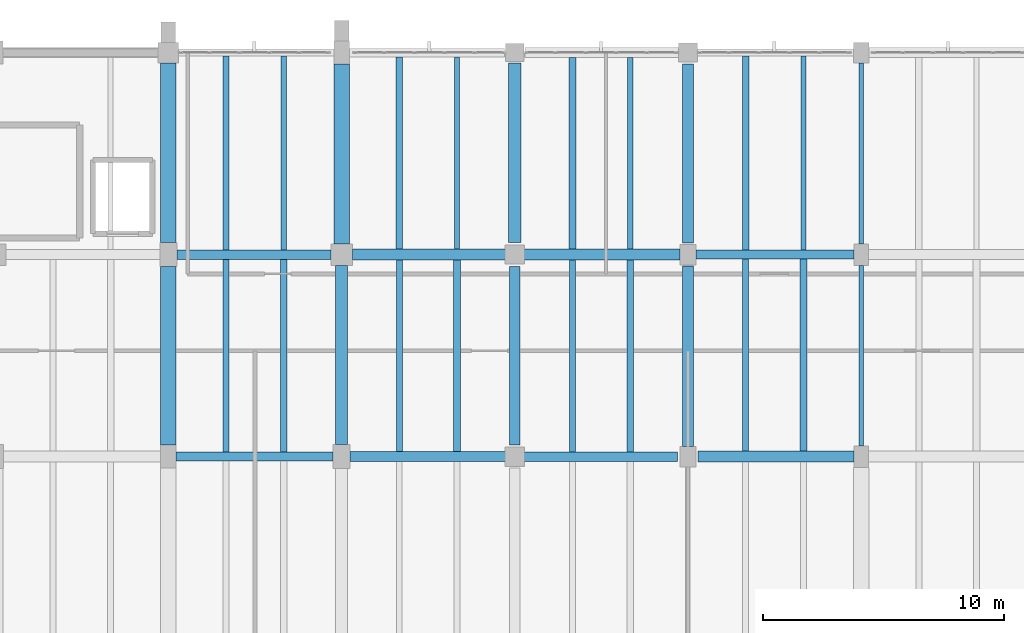
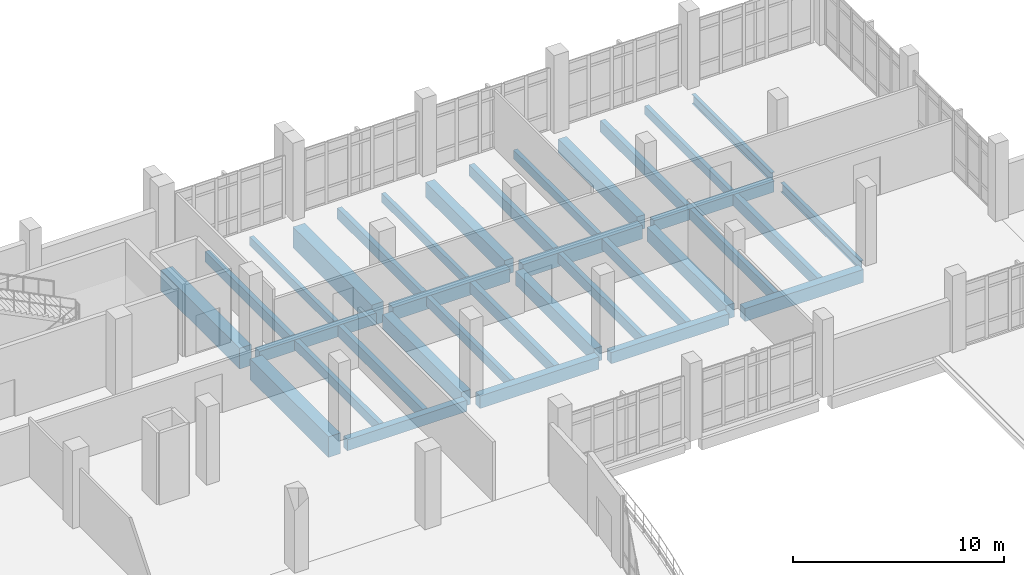
# One storey, part 72 of 134: 34 beams.
"""IFC4 building model written with IfcOpenShell, lengths in metres."""

from ifc_helpers import new_model, si_unit, direction, frame, origin, origin_2d, place, context, subcontext, project, spatial, rectangle, i_section, extrude, material, material_profile, profile_set, type_object, element, save


model = new_model("IFC4")

# Units and contexts
model_context = context("Model", 3, precision=1e-05, world=origin(), true_north=direction((0.0, 1.0)))
body_context = subcontext(model_context, "Body", "Model", "MODEL_VIEW")
ifc_project = project(units=[si_unit("LENGTHUNIT", "METRE"), si_unit("AREAUNIT", "SQUARE_METRE"), si_unit("VOLUMEUNIT", "CUBIC_METRE"), si_unit("PLANEANGLEUNIT", "RADIAN"), si_unit("MASSUNIT", "GRAM", prefix="KILO")], contexts=[model_context])

# Site, building, storey
site_placement = place(None, origin())
site = spatial("IfcSite", under=ifc_project, at=site_placement, CompositionType="ELEMENT")
building_placement = place(site_placement, origin())
building = spatial("IfcBuilding", under=site, at=building_placement, Name="Kalluvel Institute of Natural Sciences", CompositionType="ELEMENT")
storey_placement = place(building_placement, frame((0.0, 0.0, 5.39990234375)))
storey = spatial("IfcBuildingStorey", under=building, at=storey_placement, Name="L01", CompositionType="ELEMENT", Elevation=5.39990234375)

# Beams
ifc_material_1 = material(Name="Steel E350 Grade 350", Category="steel")
ifc_material_profile_1 = material_profile(ifc_material_1, i_section(OverallWidth=0.18994140625, OverallDepth=0.550048828125, WebThickness=0.01123046875, FlangeThickness=0.019287109375, FilletRadius=0.01806640625, at=origin_2d()), Name="ISMB 550")
ifc_profile_set_1 = profile_set([ifc_material_profile_1], Name="Steel E350 Grade 350")
beam_type_1 = type_object("IfcBeamType", Name="BM-ISMB550", PredefinedType="BEAM", material=ifc_profile_set_1)
beam_1_placement = place(storey_placement, frame((107.60009765625, 111.64990234375, -0.594970703125), z_axis=(0.0, 1.0, 0.0), x_axis=(-1.0, 0.0, 0.0)))
element("IfcBeam", 1, at=beam_1_placement, inside=storey, type_object=beam_type_1, Name="L01 girder GIR-L01-NS-X1076-Y1112", PredefinedType="BEAM", context=body_context, shape_type="SweptSolid", body=[
    extrude(i_section(OverallWidth=0.18994140625, OverallDepth=0.550048828125, WebThickness=0.01123046875, FlangeThickness=0.019287109375, FilletRadius=0.01806640625, at=origin_2d()), origin(), (0.0, 0.0, 1.0), 7.5),
])
beam_2_placement = place(storey_placement, frame((107.60009765625, 120.050048828125, -0.594970703125), z_axis=(0.0, 1.0, 0.0), x_axis=(-1.0, 0.0, 0.0)))
element("IfcBeam", 2, at=beam_2_placement, inside=storey, type_object=beam_type_1, Name="L01 girder GIR-L01-NS-X1076-Y1196", PredefinedType="BEAM", context=body_context, shape_type="SweptSolid", body=[
    extrude(i_section(OverallWidth=0.18994140625, OverallDepth=0.550048828125, WebThickness=0.01123046875, FlangeThickness=0.019287109375, FilletRadius=0.01806640625, at=origin_2d()), origin(), (0.0, 0.0, 1.0), 7.52490234375),
])
ifc_material_2 = material(Name="Concrete M40", Category="concrete")
ifc_material_profile_2 = material_profile(ifc_material_2, rectangle(XDim=0.3798828125, YDim=0.639892578125, at=origin_2d()), Name="RCB 380x640")
ifc_profile_set_2 = profile_set([ifc_material_profile_2], Name="Concrete M40")
beam_type_2 = type_object("IfcBeamType", Name="BM-RC380x640", PredefinedType="BEAM", material=ifc_profile_set_2)
beam_3_placement = place(storey_placement, frame((79.125, 111.199951171875, -0.639892578125), z_axis=(1.0, 0.0, 0.0), x_axis=(0.0, 1.0, 0.0)))
element("IfcBeam", 3, at=beam_3_placement, inside=storey, type_object=beam_type_2, Name="L01 girder GIR-L01-EW-X788-Y1112", PredefinedType="BEAM", context=body_context, shape_type="SweptSolid", body=[
    extrude(rectangle(XDim=0.3798828125, YDim=0.639892578125, at=origin_2d()), origin(), (0.0, 0.0, 1.0), 6.52490234375),
])
beam_4_placement = place(storey_placement, frame((100.72509765625, 119.60009765625, -0.639892578125), z_axis=(1.0, 0.0, 0.0), x_axis=(0.0, 1.0, 0.0)))
element("IfcBeam", 4, at=beam_4_placement, inside=storey, type_object=beam_type_2, Name="L01 girder GIR-L01-EW-X1004-Y1196", PredefinedType="BEAM", context=body_context, shape_type="SweptSolid", body=[
    extrude(rectangle(XDim=0.3798828125, YDim=0.639892578125, at=origin_2d()), origin(), (0.0, 0.0, 1.0), 6.574951171875),
])
ifc_material_profile_3 = material_profile(ifc_material_2, rectangle(XDim=0.39990234375, YDim=0.64990234375, at=origin_2d()), Name="RCB 400x650")
ifc_profile_set_3 = profile_set([ifc_material_profile_3], Name="Concrete M40")
beam_type_3 = type_object("IfcBeamType", Name="BM-RC400x650", PredefinedType="BEAM", material=ifc_profile_set_3)
beam_5_placement = place(storey_placement, frame((93.52490234375, 111.199951171875, -0.64501953125), z_axis=(1.0, 0.0, 0.0), x_axis=(0.0, 1.0, 0.0)))
element("IfcBeam", 5, at=beam_5_placement, inside=storey, type_object=beam_type_3, Name="L01 girder GIR-L01-EW-X932-Y1112", PredefinedType="BEAM", context=body_context, shape_type="SweptSolid", body=[
    extrude(rectangle(XDim=0.39990234375, YDim=0.64990234375, at=origin_2d()), origin(), (0.0, 0.0, 1.0), 6.4501953125),
])
beam_6_placement = place(storey_placement, frame((79.14990234375, 119.60009765625, -0.64501953125), z_axis=(1.0, 0.0, 0.0), x_axis=(0.0, 1.0, 0.0)))
element("IfcBeam", 6, at=beam_6_placement, inside=storey, type_object=beam_type_3, Name="L01 girder GIR-L01-EW-X788-Y1196", PredefinedType="BEAM", context=body_context, shape_type="SweptSolid", body=[
    extrude(rectangle(XDim=0.39990234375, YDim=0.64990234375, at=origin_2d()), origin(), (0.0, 0.0, 1.0), 6.400146484375),
])
ifc_material_profile_4 = material_profile(ifc_material_2, rectangle(XDim=0.419921875, YDim=0.719970703125, at=origin_2d()), Name="RCB 420x720")
ifc_profile_set_4 = profile_set([ifc_material_profile_4], Name="Concrete M40")
beam_type_4 = type_object("IfcBeamType", Name="BM-RC420x720", PredefinedType="BEAM", material=ifc_profile_set_4)
beam_7_placement = place(storey_placement, frame((86.35009765625, 111.199951171875, -0.679931640625), z_axis=(1.0, 0.0, 0.0), x_axis=(0.0, 1.0, 0.0)))
element("IfcBeam", 7, at=beam_7_placement, inside=storey, type_object=beam_type_4, Name="L01 girder GIR-L01-EW-X860-Y1112", PredefinedType="BEAM", context=body_context, shape_type="SweptSolid", body=[
    extrude(rectangle(XDim=0.419921875, YDim=0.719970703125, at=origin_2d()), origin(), (0.0, 0.0, 1.0), 6.52490234375),
])
ifc_material_profile_5 = material_profile(ifc_material_2, rectangle(XDim=0.449951171875, YDim=0.75, at=origin_2d()), Name="RCB 450x750")
ifc_profile_set_5 = profile_set([ifc_material_profile_5], Name="Concrete M40")
beam_type_5 = type_object("IfcBeamType", Name="BM-RC450x750", PredefinedType="BEAM", material=ifc_profile_set_5)
beam_8_placement = place(storey_placement, frame((100.824951171875, 111.199951171875, -0.69482421875), z_axis=(1.0, 0.0, 0.0), x_axis=(0.0, 1.0, 0.0)))
element("IfcBeam", 8, at=beam_8_placement, inside=storey, type_object=beam_type_5, Name="L01 girder GIR-L01-EW-X1004-Y1112", PredefinedType="BEAM", context=body_context, shape_type="SweptSolid", body=[
    extrude(rectangle(XDim=0.449951171875, YDim=0.75, at=origin_2d()), origin(), (0.0, 0.0, 1.0), 6.47509765625),
])
beam_9_placement = place(storey_placement, frame((86.449951171875, 119.60009765625, -0.69482421875), z_axis=(1.0, 0.0, 0.0), x_axis=(0.0, 1.0, 0.0)))
element("IfcBeam", 9, at=beam_9_placement, inside=storey, type_object=beam_type_5, Name="L01 girder GIR-L01-EW-X860-Y1196", PredefinedType="BEAM", context=body_context, shape_type="SweptSolid", body=[
    extrude(rectangle(XDim=0.449951171875, YDim=0.75, at=origin_2d()), origin(), (0.0, 0.0, 1.0), 6.400146484375),
])
ifc_material_profile_6 = material_profile(ifc_material_2, rectangle(XDim=0.449951171875, YDim=0.800048828125, at=origin_2d()), Name="RCB 450x800")
ifc_profile_set_6 = profile_set([ifc_material_profile_6], Name="Concrete M40")
beam_type_6 = type_object("IfcBeamType", Name="BM-RC450x800", PredefinedType="BEAM", material=ifc_profile_set_6)
beam_10_placement = place(storey_placement, frame((93.550048828125, 119.60009765625, -0.719970703125), z_axis=(1.0, 0.0, 0.0), x_axis=(0.0, 1.0, 0.0)))
element("IfcBeam", 10, at=beam_10_placement, inside=storey, type_object=beam_type_6, Name="L01 girder GIR-L01-EW-X932-Y1196", PredefinedType="BEAM", context=body_context, shape_type="SweptSolid", body=[
    extrude(rectangle(XDim=0.449951171875, YDim=0.800048828125, at=origin_2d()), origin(), (0.0, 0.0, 1.0), 6.52490234375),
])
beam_11_placement = place(storey_placement, frame((93.199951171875, 111.675048828125, -0.719970703125), z_axis=(0.0, 1.0, 0.0), x_axis=(-1.0, 0.0, 0.0)))
element("IfcBeam", 11, at=beam_11_placement, inside=storey, type_object=beam_type_6, Name="L01 girder GIR-L01-NS-X932-Y1112", PredefinedType="BEAM", context=body_context, shape_type="SweptSolid", body=[
    extrude(rectangle(XDim=0.449951171875, YDim=0.800048828125, at=origin_2d()), origin(), (0.0, 0.0, 1.0), 7.425048828125),
])
beam_12_placement = place(storey_placement, frame((100.39990234375, 111.625, -0.719970703125), z_axis=(0.0, 1.0, 0.0), x_axis=(-1.0, 0.0, 0.0)))
element("IfcBeam", 12, at=beam_12_placement, inside=storey, type_object=beam_type_6, Name="L01 girder GIR-L01-NS-X1004-Y1112", PredefinedType="BEAM", context=body_context, shape_type="SweptSolid", body=[
    extrude(rectangle(XDim=0.449951171875, YDim=0.800048828125, at=origin_2d()), origin(), (0.0, 0.0, 1.0), 7.5),
])
beam_13_placement = place(storey_placement, frame((100.39990234375, 120.074951171875, -0.719970703125), z_axis=(0.0, 1.0, 0.0), x_axis=(-1.0, 0.0, 0.0)))
element("IfcBeam", 13, at=beam_13_placement, inside=storey, type_object=beam_type_6, Name="L01 girder GIR-L01-NS-X1004-Y1196", PredefinedType="BEAM", context=body_context, shape_type="SweptSolid", body=[
    extrude(rectangle(XDim=0.449951171875, YDim=0.800048828125, at=origin_2d()), origin(), (0.0, 0.0, 1.0), 7.449951171875),
])
ifc_material_3 = material(Name="Concrete M50", Category="concrete")
ifc_material_profile_7 = material_profile(ifc_material_3, rectangle(XDim=0.5, YDim=0.85009765625, at=origin_2d()), Name="RCB 500x850")
ifc_profile_set_7 = profile_set([ifc_material_profile_7], Name="Concrete M50")
beam_type_7 = type_object("IfcBeamType", Name="BM-RC500x850", PredefinedType="BEAM", material=ifc_profile_set_7)
beam_14_placement = place(storey_placement, frame((86.0, 111.699951171875, -0.744873046875), z_axis=(0.0, 1.0, 0.0), x_axis=(-1.0, 0.0, 0.0)))
element("IfcBeam", 14, at=beam_14_placement, inside=storey, type_object=beam_type_7, Name="L01 girder GIR-L01-NS-X860-Y1112", PredefinedType="BEAM", context=body_context, shape_type="SweptSolid", body=[
    extrude(rectangle(XDim=0.5, YDim=0.85009765625, at=origin_2d()), origin(), (0.0, 0.0, 1.0), 7.449951171875),
])
beam_15_placement = place(storey_placement, frame((93.199951171875, 120.10009765625, -0.744873046875), z_axis=(0.0, 1.0, 0.0), x_axis=(-1.0, 0.0, 0.0)))
element("IfcBeam", 15, at=beam_15_placement, inside=storey, type_object=beam_type_7, Name="L01 girder GIR-L01-NS-X932-Y1196", PredefinedType="BEAM", context=body_context, shape_type="SweptSolid", body=[
    extrude(rectangle(XDim=0.5, YDim=0.85009765625, at=origin_2d()), origin(), (0.0, 0.0, 1.0), 7.474853515625),
])
ifc_material_profile_8 = material_profile(ifc_material_3, rectangle(XDim=0.64990234375, YDim=1.199951171875, at=origin_2d()), Name="RCB 650x1200")
ifc_profile_set_8 = profile_set([ifc_material_profile_8], Name="Concrete M50")
beam_type_8 = type_object("IfcBeamType", Name="BM-RC650x1200", PredefinedType="BEAM", material=ifc_profile_set_8)
beam_16_placement = place(storey_placement, frame((78.800048828125, 111.675048828125, -0.919921875), z_axis=(0.0, 1.0, 0.0), x_axis=(-1.0, 0.0, 0.0)))
element("IfcBeam", 16, at=beam_16_placement, inside=storey, type_object=beam_type_8, Name="L01 girder GIR-L01-NS-X788-Y1112", PredefinedType="BEAM", context=body_context, shape_type="SweptSolid", body=[
    extrude(rectangle(XDim=0.64990234375, YDim=1.199951171875, at=origin_2d()), origin(), (0.0, 0.0, 1.0), 7.425048828125),
])
for number, where, z_axis, x_axis, name in (
    (17, (78.800048828125, 120.10009765625, -0.919921875), (0.0, 1.0, 0.0), (-1.0, 0.0, 0.0), "L01 girder GIR-L01-NS-X788-Y1196"),
    (18, (86.0, 120.050048828125, -0.919921875), (0.0, 1.0, 0.0), (-1.0, 0.0, 0.0), "L01 girder GIR-L01-NS-X860-Y1196"),
):
    element("IfcBeam", number, at=place(storey_placement, frame(where, z_axis=z_axis, x_axis=x_axis)), inside=storey, type_object=beam_type_8, Name=name, PredefinedType="BEAM", context=body_context, shape_type="SweptSolid", body=[
        extrude(rectangle(XDim=0.64990234375, YDim=1.199951171875, at=origin_2d()), origin(), (0.0, 0.0, 1.0), 7.474853515625),
    ])
ifc_material_profile_9 = material_profile(ifc_material_2, rectangle(XDim=0.219970703125, YDim=0.5, at=origin_2d()), Name="WAF 220x500")
ifc_profile_set_9 = profile_set([ifc_material_profile_9], Name="Concrete M40")
beam_type_9 = type_object("IfcBeamType", Name="WJ-220x500", PredefinedType="JOIST", material=ifc_profile_set_9)
beam_17_placement = place(storey_placement, frame((83.60009765625, 119.800048828125, -0.56982421875), z_axis=(0.0, 1.0, 0.0), x_axis=(-1.0, 0.0, 0.0)))
element("IfcBeam", 19, at=beam_17_placement, inside=storey, type_object=beam_type_9, Name="L01 waffle joist RIB-L01-0118", PredefinedType="JOIST", context=body_context, shape_type="SweptSolid", body=[
    extrude(rectangle(XDim=0.219970703125, YDim=0.5, at=origin_2d()), origin(), (0.0, 0.0, 1.0), 8.050048828125),
])
beam_18_placement = place(storey_placement, frame((90.800048828125, 119.824951171875, -0.56982421875), z_axis=(0.0, 1.0, 0.0), x_axis=(-1.0, 0.0, 0.0)))
element("IfcBeam", 20, at=beam_18_placement, inside=storey, type_object=beam_type_9, Name="L01 waffle joist RIB-L01-0124", PredefinedType="JOIST", context=body_context, shape_type="SweptSolid", body=[
    extrude(rectangle(XDim=0.219970703125, YDim=0.5, at=origin_2d()), origin(), (0.0, 0.0, 1.0), 8.0),
])
beam_19_placement = place(storey_placement, frame((98.0, 119.824951171875, -0.56982421875), z_axis=(0.0, 1.0, 0.0), x_axis=(-1.0, 0.0, 0.0)))
element("IfcBeam", 21, at=beam_19_placement, inside=storey, type_object=beam_type_9, Name="L01 waffle joist RIB-L01-0130", PredefinedType="JOIST", context=body_context, shape_type="SweptSolid", body=[
    extrude(rectangle(XDim=0.219970703125, YDim=0.5, at=origin_2d()), origin(), (0.0, 0.0, 1.0), 7.97509765625),
])
beam_20_placement = place(storey_placement, frame((105.199951171875, 119.7900390625, -0.56982421875), z_axis=(0.0, 1.0, 0.0), x_axis=(-1.0, 0.0, 0.0)))
element("IfcBeam", 22, at=beam_20_placement, inside=storey, type_object=beam_type_9, Name="L01 waffle joist RIB-L01-0136", PredefinedType="JOIST", context=body_context, shape_type="SweptSolid", body=[
    extrude(rectangle(XDim=0.219970703125, YDim=0.5, at=origin_2d()), origin(), (0.0, 0.0, 1.0), 8.06005859375),
])
ifc_material_profile_10 = material_profile(ifc_material_2, rectangle(XDim=0.25, YDim=0.550048828125, at=origin_2d()), Name="WAF 250x550")
ifc_profile_set_10 = profile_set([ifc_material_profile_10], Name="Concrete M40")
beam_type_10 = type_object("IfcBeamType", Name="WJ-250x550", PredefinedType="JOIST", material=ifc_profile_set_10)
beam_21_placement = place(storey_placement, frame((81.199951171875, 111.389892578125, -0.594970703125), z_axis=(0.0, 1.0, 0.0), x_axis=(-1.0, 0.0, 0.0)))
element("IfcBeam", 23, at=beam_21_placement, inside=storey, type_object=beam_type_10, Name="L01 waffle joist RIB-L01-0115", PredefinedType="JOIST", context=body_context, shape_type="SweptSolid", body=[
    extrude(rectangle(XDim=0.25, YDim=0.550048828125, at=origin_2d()), origin(), (0.0, 0.0, 1.0), 8.010009765625),
])
beam_22_placement = place(storey_placement, frame((88.39990234375, 111.409912109375, -0.594970703125), z_axis=(0.0, 1.0, 0.0), x_axis=(-1.0, 0.0, 0.0)))
element("IfcBeam", 24, at=beam_22_placement, inside=storey, type_object=beam_type_10, Name="L01 waffle joist RIB-L01-0121", PredefinedType="JOIST", context=body_context, shape_type="SweptSolid", body=[
    extrude(rectangle(XDim=0.25, YDim=0.550048828125, at=origin_2d()), origin(), (0.0, 0.0, 1.0), 7.965087890625),
])
ifc_material_profile_11 = material_profile(ifc_material_2, rectangle(XDim=0.25, YDim=0.60009765625, at=origin_2d()), Name="WAF 250x600")
ifc_profile_set_11 = profile_set([ifc_material_profile_11], Name="Concrete M40")
beam_type_11 = type_object("IfcBeamType", Name="WJ-250x600", PredefinedType="JOIST", material=ifc_profile_set_11)
beam_23_placement = place(storey_placement, frame((95.60009765625, 111.39990234375, -0.619873046875), z_axis=(0.0, 1.0, 0.0), x_axis=(-1.0, 0.0, 0.0)))
element("IfcBeam", 25, at=beam_23_placement, inside=storey, type_object=beam_type_11, Name="L01 waffle joist RIB-L01-0127", PredefinedType="JOIST", context=body_context, shape_type="SweptSolid", body=[
    extrude(rectangle(XDim=0.25, YDim=0.60009765625, at=origin_2d()), origin(), (0.0, 0.0, 1.0), 7.97509765625),
])
beam_24_placement = place(storey_placement, frame((102.800048828125, 111.425048828125, -0.619873046875), z_axis=(0.0, 1.0, 0.0), x_axis=(-1.0, 0.0, 0.0)))
element("IfcBeam", 26, at=beam_24_placement, inside=storey, type_object=beam_type_11, Name="L01 waffle joist RIB-L01-0133", PredefinedType="JOIST", context=body_context, shape_type="SweptSolid", body=[
    extrude(rectangle(XDim=0.25, YDim=0.60009765625, at=origin_2d()), origin(), (0.0, 0.0, 1.0), 7.98486328125),
])
ifc_material_profile_12 = material_profile(ifc_material_3, rectangle(XDim=0.260009765625, YDim=0.6201171875, at=origin_2d()), Name="WAF 260x620")
ifc_profile_set_12 = profile_set([ifc_material_profile_12], Name="Concrete M50")
beam_type_12 = type_object("IfcBeamType", Name="WJ-260x620", PredefinedType="JOIST", material=ifc_profile_set_12)
beam_25_placement = place(storey_placement, frame((81.199951171875, 119.800048828125, -0.6298828125), z_axis=(0.0, 1.0, 0.0), x_axis=(-1.0, 0.0, 0.0)))
element("IfcBeam", 27, at=beam_25_placement, inside=storey, type_object=beam_type_12, Name="L01 waffle joist RIB-L01-0117", PredefinedType="JOIST", context=body_context, shape_type="SweptSolid", body=[
    extrude(rectangle(XDim=0.260009765625, YDim=0.6201171875, at=origin_2d()), origin(), (0.0, 0.0, 1.0), 8.050048828125),
])
beam_26_placement = place(storey_placement, frame((88.39990234375, 119.824951171875, -0.6298828125), z_axis=(0.0, 1.0, 0.0), x_axis=(-1.0, 0.0, 0.0)))
element("IfcBeam", 28, at=beam_26_placement, inside=storey, type_object=beam_type_12, Name="L01 waffle joist RIB-L01-0123", PredefinedType="JOIST", context=body_context, shape_type="SweptSolid", body=[
    extrude(rectangle(XDim=0.260009765625, YDim=0.6201171875, at=origin_2d()), origin(), (0.0, 0.0, 1.0), 8.0),
])
ifc_material_profile_13 = material_profile(ifc_material_3, rectangle(XDim=0.280029296875, YDim=0.64990234375, at=origin_2d()), Name="WAF 280x650")
ifc_profile_set_13 = profile_set([ifc_material_profile_13], Name="Concrete M50")
beam_type_13 = type_object("IfcBeamType", Name="WJ-280x650", PredefinedType="JOIST", material=ifc_profile_set_13)
beam_27_placement = place(storey_placement, frame((83.60009765625, 111.389892578125, -0.64501953125), z_axis=(0.0, 1.0, 0.0), x_axis=(-1.0, 0.0, 0.0)))
element("IfcBeam", 29, at=beam_27_placement, inside=storey, type_object=beam_type_13, Name="L01 waffle joist RIB-L01-0116", PredefinedType="JOIST", context=body_context, shape_type="SweptSolid", body=[
    extrude(rectangle(XDim=0.280029296875, YDim=0.64990234375, at=origin_2d()), origin(), (0.0, 0.0, 1.0), 8.010009765625),
])
beam_28_placement = place(storey_placement, frame((90.800048828125, 111.409912109375, -0.64501953125), z_axis=(0.0, 1.0, 0.0), x_axis=(-1.0, 0.0, 0.0)))
element("IfcBeam", 30, at=beam_28_placement, inside=storey, type_object=beam_type_13, Name="L01 waffle joist RIB-L01-0122", PredefinedType="JOIST", context=body_context, shape_type="SweptSolid", body=[
    extrude(rectangle(XDim=0.280029296875, YDim=0.64990234375, at=origin_2d()), origin(), (0.0, 0.0, 1.0), 7.965087890625),
])
for number, where, z_axis, x_axis, name in (
    (31, (98.0, 111.39990234375, -0.64501953125), (0.0, 1.0, 0.0), (-1.0, 0.0, 0.0), "L01 waffle joist RIB-L01-0128"),
    (32, (95.60009765625, 119.824951171875, -0.64501953125), (0.0, 1.0, 0.0), (-1.0, 0.0, 0.0), "L01 waffle joist RIB-L01-0129"),
):
    element("IfcBeam", number, at=place(storey_placement, frame(where, z_axis=z_axis, x_axis=x_axis)), inside=storey, type_object=beam_type_13, Name=name, PredefinedType="JOIST", context=body_context, shape_type="SweptSolid", body=[
        extrude(rectangle(XDim=0.280029296875, YDim=0.64990234375, at=origin_2d()), origin(), (0.0, 0.0, 1.0), 7.97509765625),
    ])
beam_29_placement = place(storey_placement, frame((105.199951171875, 111.425048828125, -0.64501953125), z_axis=(0.0, 1.0, 0.0), x_axis=(-1.0, 0.0, 0.0)))
element("IfcBeam", 33, at=beam_29_placement, inside=storey, type_object=beam_type_13, Name="L01 waffle joist RIB-L01-0134", PredefinedType="JOIST", context=body_context, shape_type="SweptSolid", body=[
    extrude(rectangle(XDim=0.280029296875, YDim=0.64990234375, at=origin_2d()), origin(), (0.0, 0.0, 1.0), 7.98486328125),
])
beam_30_placement = place(storey_placement, frame((102.800048828125, 119.7900390625, -0.64501953125), z_axis=(0.0, 1.0, 0.0), x_axis=(-1.0, 0.0, 0.0)))
element("IfcBeam", 34, at=beam_30_placement, inside=storey, type_object=beam_type_13, Name="L01 waffle joist RIB-L01-0135", PredefinedType="JOIST", context=body_context, shape_type="SweptSolid", body=[
    extrude(rectangle(XDim=0.280029296875, YDim=0.64990234375, at=origin_2d()), origin(), (0.0, 0.0, 1.0), 8.06005859375),
])

save(model, "model.ifc")
